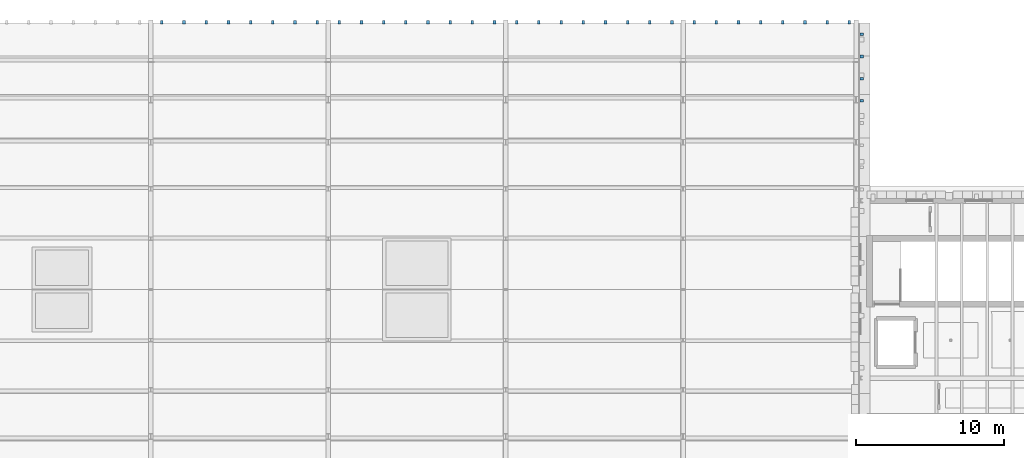
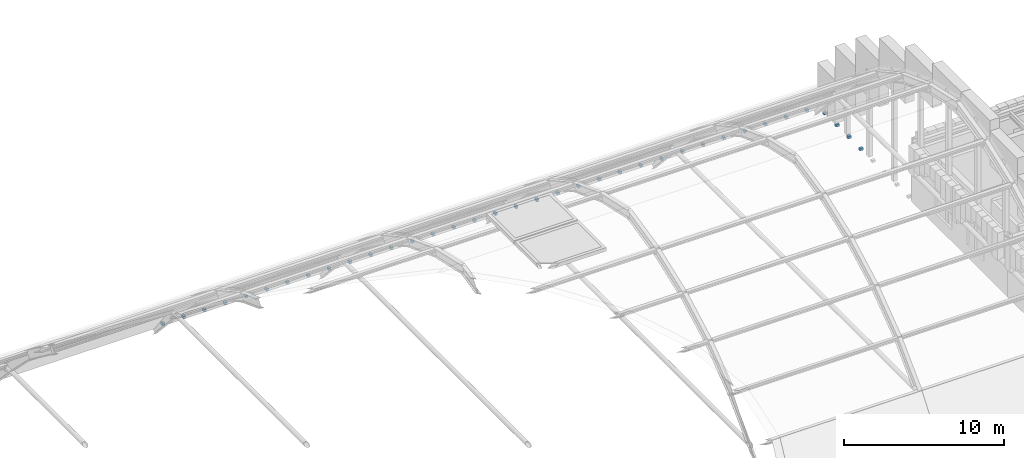
# One storey, part 24 of 35: 36 discrete accessories.
"""IFC4 building model written with IfcOpenShell, lengths in metres."""

from ifc_helpers import new_model, si_unit, direction, frame, origin, origin_2d, place, context, subcontext, project, spatial, rectangle, extrude, material, type_object, element, save


model = new_model("IFC4")

# Units and contexts
model_context = context("Model", 3, precision=1e-05, world=origin(), true_north=direction((0.0, 1.0)))
body_context = subcontext(model_context, "Body", "Model", "MODEL_VIEW")
ifc_project = project(units=[si_unit("LENGTHUNIT", "METRE"), si_unit("AREAUNIT", "SQUARE_METRE"), si_unit("VOLUMEUNIT", "CUBIC_METRE"), si_unit("PLANEANGLEUNIT", "RADIAN"), si_unit("MASSUNIT", "GRAM", prefix="KILO")], contexts=[model_context])

# Site, building, storey
site_placement = place(None, origin())
site = spatial("IfcSite", under=ifc_project, at=site_placement, CompositionType="ELEMENT")
building_placement = place(site_placement, origin())
building = spatial("IfcBuilding", under=site, at=building_placement, Name="Zlatogorsky Bluff Art Gallery", CompositionType="ELEMENT")
storey_placement = place(building_placement, frame((0.0, 0.0, 23.39990234375)))
storey = spatial("IfcBuildingStorey", under=building, at=storey_placement, Name="L04", CompositionType="ELEMENT", Elevation=23.39990234375)

# Discrete accessories
ifc_material = material(Name="Steel S355", Category="steel")
discrete_accessory_type = type_object("IfcDiscreteAccessoryType", Name="Stainless Facade Fin Bracket BRK-01", PredefinedType="BRACKET", material=ifc_material)
for number, where, z_axis, x_axis, name in (
    (1, (72.75, 120.080078125, -0.22998046875), (0.0, 0.0, 1.0), (1.0, 0.0, 0.0), "Fin slab-edge bracket N.112.L04"),
    (2, (74.25, 120.080078125, -0.22998046875), (0.0, 0.0, 1.0), (1.0, 0.0, 0.0), "Fin slab-edge bracket N.113.L04"),
    (3, (75.75, 120.080078125, -0.22998046875), (0.0, 0.0, 1.0), (1.0, 0.0, 0.0), "Fin slab-edge bracket N.114.L04"),
    (4, (77.25, 120.080078125, -0.22998046875), (0.0, 0.0, 1.0), (1.0, 0.0, 0.0), "Fin slab-edge bracket N.115.L04"),
    (5, (78.75, 120.080078125, -0.22998046875), (0.0, 0.0, 1.0), (1.0, 0.0, 0.0), "Fin slab-edge bracket N.116.L04"),
    (6, (80.25, 120.080078125, -0.22998046875), (0.0, 0.0, 1.0), (1.0, 0.0, 0.0), "Fin slab-edge bracket N.117.L04"),
    (7, (81.75, 120.080078125, -0.22998046875), (0.0, 0.0, 1.0), (1.0, 0.0, 0.0), "Fin slab-edge bracket N.118.L04"),
    (8, (83.25, 120.080078125, -0.22998046875), (0.0, 0.0, 1.0), (1.0, 0.0, 0.0), "Fin slab-edge bracket N.119.L04"),
    (9, (84.75, 120.080078125, -0.22998046875), (0.0, 0.0, 1.0), (1.0, 0.0, 0.0), "Fin slab-edge bracket N.120.L04"),
    (10, (86.25, 120.080078125, -0.22998046875), (0.0, 0.0, 1.0), (1.0, 0.0, 0.0), "Fin slab-edge bracket N.121.L04"),
    (11, (87.75, 120.080078125, -0.22998046875), (0.0, 0.0, 1.0), (1.0, 0.0, 0.0), "Fin slab-edge bracket N.122.L04"),
    (12, (89.25, 120.080078125, -0.22998046875), (0.0, 0.0, 1.0), (1.0, 0.0, 0.0), "Fin slab-edge bracket N.123.L04"),
    (13, (90.75, 120.080078125, -0.22998046875), (0.0, 0.0, 1.0), (1.0, 0.0, 0.0), "Fin slab-edge bracket N.124.L04"),
    (14, (92.25, 120.080078125, -0.22998046875), (0.0, 0.0, 1.0), (1.0, 0.0, 0.0), "Fin slab-edge bracket N.125.L04"),
    (15, (93.75, 120.080078125, -0.22998046875), (0.0, 0.0, 1.0), (1.0, 0.0, 0.0), "Fin slab-edge bracket N.126.L04"),
    (16, (95.25, 120.080078125, -0.22998046875), (0.0, 0.0, 1.0), (1.0, 0.0, 0.0), "Fin slab-edge bracket N.127.L04"),
    (17, (96.75, 120.080078125, -0.22998046875), (0.0, 0.0, 1.0), (1.0, 0.0, 0.0), "Fin slab-edge bracket N.128.L04"),
    (18, (98.25, 120.080078125, -0.22998046875), (0.0, 0.0, 1.0), (1.0, 0.0, 0.0), "Fin slab-edge bracket N.129.L04"),
    (19, (99.75, 120.080078125, -0.22998046875), (0.0, 0.0, 1.0), (1.0, 0.0, 0.0), "Fin slab-edge bracket N.130.L04"),
    (20, (101.25, 120.080078125, -0.22998046875), (0.0, 0.0, 1.0), (1.0, 0.0, 0.0), "Fin slab-edge bracket N.131.L04"),
    (21, (102.75, 120.080078125, -0.22998046875), (0.0, 0.0, 1.0), (1.0, 0.0, 0.0), "Fin slab-edge bracket N.132.L04"),
    (22, (104.25, 120.080078125, -0.22998046875), (0.0, 0.0, 1.0), (1.0, 0.0, 0.0), "Fin slab-edge bracket N.133.L04"),
    (23, (105.75, 120.080078125, -0.22998046875), (0.0, 0.0, 1.0), (1.0, 0.0, 0.0), "Fin slab-edge bracket N.134.L04"),
    (24, (107.25, 120.080078125, -0.22998046875), (0.0, 0.0, 1.0), (1.0, 0.0, 0.0), "Fin slab-edge bracket N.135.L04"),
    (25, (108.75, 120.080078125, -0.22998046875), (0.0, 0.0, 1.0), (1.0, 0.0, 0.0), "Fin slab-edge bracket N.136.L04"),
    (26, (110.25, 120.080078125, -0.22998046875), (0.0, 0.0, 1.0), (1.0, 0.0, 0.0), "Fin slab-edge bracket N.137.L04"),
    (27, (111.75, 120.080078125, -0.22998046875), (0.0, 0.0, 1.0), (1.0, 0.0, 0.0), "Fin slab-edge bracket N.138.L04"),
    (28, (113.25, 120.080078125, -0.22998046875), (0.0, 0.0, 1.0), (1.0, 0.0, 0.0), "Fin slab-edge bracket N.139.L04"),
    (29, (114.75, 120.080078125, -0.22998046875), (0.0, 0.0, 1.0), (1.0, 0.0, 0.0), "Fin slab-edge bracket N.140.L04"),
    (30, (116.25, 120.080078125, -0.22998046875), (0.0, 0.0, 1.0), (1.0, 0.0, 0.0), "Fin slab-edge bracket N.141.L04"),
    (31, (117.75, 120.080078125, -0.22998046875), (0.0, 0.0, 1.0), (1.0, 0.0, 0.0), "Fin slab-edge bracket N.142.L04"),
    (32, (119.25, 120.080078125, -0.22998046875), (0.0, 0.0, 1.0), (1.0, 0.0, 0.0), "Fin slab-edge bracket N.143.L04"),
):
    element("IfcDiscreteAccessory", number, at=place(storey_placement, frame(where, z_axis=z_axis, x_axis=x_axis)), inside=storey, type_object=discrete_accessory_type, Name=name, PredefinedType="BRACKET", context=body_context, shape_type="SweptSolid", body=[
        extrude(rectangle(XDim=0.179931640625, YDim=0.239990234375, at=origin_2d()), origin(), (0.0, 0.0, 1.0), 0.179931640625),
    ])
for number, where, z_axis, x_axis, name in (
    (33, (120.080078125, 114.75, -0.22998046875), (0.0, 0.0, 1.0), (1.0, 0.0, 0.0), "Fin slab-edge bracket E.164.L04"),
    (34, (120.080078125, 116.25, -0.22998046875), (0.0, 0.0, 1.0), (1.0, 0.0, 0.0), "Fin slab-edge bracket E.165.L04"),
    (35, (120.080078125, 117.75, -0.22998046875), (0.0, 0.0, 1.0), (1.0, 0.0, 0.0), "Fin slab-edge bracket E.166.L04"),
    (36, (120.080078125, 119.25, -0.22998046875), (0.0, 0.0, 1.0), (1.0, 0.0, 0.0), "Fin slab-edge bracket E.167.L04"),
):
    element("IfcDiscreteAccessory", number, at=place(storey_placement, frame(where, z_axis=z_axis, x_axis=x_axis)), inside=storey, type_object=discrete_accessory_type, Name=name, PredefinedType="BRACKET", context=body_context, shape_type="SweptSolid", body=[
        extrude(rectangle(XDim=0.239990234375, YDim=0.179931640625, at=origin_2d()), origin(), (0.0, 0.0, 1.0), 0.179931640625),
    ])

save(model, "model.ifc")
